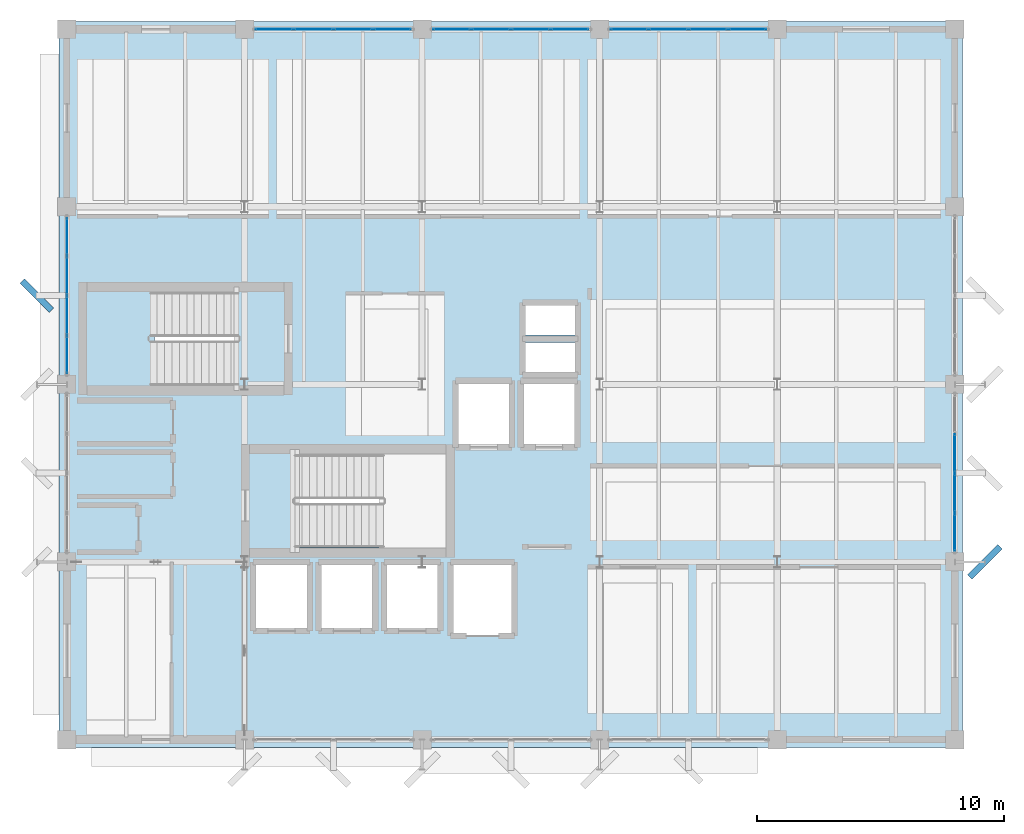
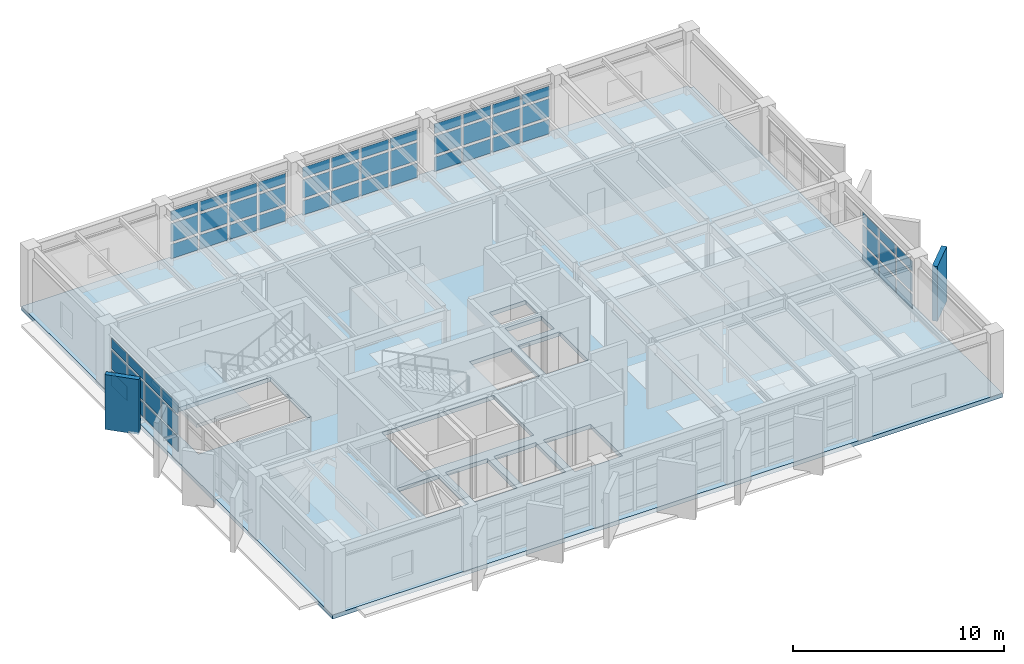
# One storey, part 15 of 24: 59 plates, 2 slabs, 6 elements without a shape of their own.
"""IFC4 building model written with IfcOpenShell, lengths in metres."""

import ifcopenshell
import ifcopenshell.guid

model = None  # the IFC model being written
_history = None  # IfcOwnerHistory: only IFC2X3 demands one
_inside = {}  # id of a spatial element -> (the spatial element, [elements in it])
_under = {}  # id of a project, library or spatial element -> (it, [spatial elements below it])
_declared = {}  # id of a project -> (the project, [libraries it declares])
_typed = {}  # id of a type object -> (the type object, [elements of that type])
_made_of = {}  # id of a material, layer set ... -> (it, [elements and type objects made of it])


def new_model(schema):
    """Start an empty IFC model of exactly this schema.

    Asked for "IFC4X3", IfcOpenShell would pick the latest addendum, in which some entities
    have other attributes; the version numbers below select the first issue.
    IFC2X3 requires an IfcOwnerHistory on every rooted entity: one is made here for all.
    """
    global model, _history
    if schema == "IFC4X3":
        model = ifcopenshell.file(schema_version=(4, 3, 0, 0))
    else:
        model = ifcopenshell.file(schema=schema)
    _inside.clear()
    _under.clear()
    _declared.clear()
    _typed.clear()
    _made_of.clear()
    _history = None
    if model.schema == "IFC2X3":
        org = make("IfcOrganization", Name="unknown")
        user = make(
            "IfcPersonAndOrganization",
            ThePerson=make("IfcPerson", FamilyName="unknown"),
            TheOrganization=org,
        )
        app = make(
            "IfcApplication",
            ApplicationDeveloper=org,
            Version="unknown",
            ApplicationFullName="unknown",
            ApplicationIdentifier="unknown",
        )
        _history = make(
            "IfcOwnerHistory",
            OwningUser=user,
            OwningApplication=app,
            ChangeAction="ADDED",
            CreationDate=0,
        )
    return model


def make(cls, **values):
    """One entity of the class cls with the attributes given. An attribute that is None is left unset."""
    return model.create_entity(
        cls, **{name: value for name, value in values.items() if value is not None}
    )


def rooted(cls, **values):
    """An entity with a GlobalId (a new one), such as an element, a storey or a relation."""
    return make(cls, GlobalId=ifcopenshell.guid.new(), OwnerHistory=_history, **values)


def si_unit(unit_type, name, prefix=None):
    """IfcSIUnit, for example si_unit("LENGTHUNIT", "METRE", prefix="MILLI")."""
    return make("IfcSIUnit", UnitType=unit_type, Prefix=prefix, Name=name)


def assignment(units):
    """IfcUnitAssignment: the units of a project."""
    return None if units is None else make("IfcUnitAssignment", Units=units)


def point(xyz):
    """IfcCartesianPoint."""
    return None if xyz is None else make("IfcCartesianPoint", Coordinates=xyz)


def direction(xyz):
    """IfcDirection."""
    return None if xyz is None else make("IfcDirection", DirectionRatios=xyz)


def frame(location, z_axis=None, x_axis=None):
    """IfcAxis2Placement3D, a coordinate frame: its origin and axes. An axis left out is left unset."""
    return make(
        "IfcAxis2Placement3D",
        Location=point(location),
        Axis=direction(z_axis),
        RefDirection=direction(x_axis),
    )


def frame_2d(location, x_axis=None):
    """IfcAxis2Placement2D, a coordinate frame in the plane: its origin and x axis."""
    return make(
        "IfcAxis2Placement2D", Location=point(location), RefDirection=direction(x_axis)
    )


def origin():
    """The frame at (0, 0, 0) with its axes left unset."""
    return frame((0.0, 0.0, 0.0))


def origin_2d():
    """The frame at (0, 0) in the plane with its x axis left unset."""
    return frame_2d((0.0, 0.0))


def place(relative_to, where):
    """IfcLocalPlacement: puts the frame where relative to a parent placement (None: the world)."""
    return make(
        "IfcLocalPlacement", PlacementRelTo=relative_to, RelativePlacement=where
    )


def context(
    kind, dimensions, precision=None, world=None, true_north=None, identifier=None
):
    """IfcGeometricRepresentationContext, for example the 3D "Model" context."""
    return make(
        "IfcGeometricRepresentationContext",
        ContextIdentifier=identifier,
        ContextType=kind,
        CoordinateSpaceDimension=dimensions,
        Precision=precision,
        WorldCoordinateSystem=world,
        TrueNorth=true_north,
    )


def subcontext(parent, identifier, kind, view, scale=None):
    """IfcGeometricRepresentationSubContext, for example "Body" below "Model"."""
    return make(
        "IfcGeometricRepresentationSubContext",
        ContextIdentifier=identifier,
        ContextType=kind,
        ParentContext=parent,
        TargetScale=scale,
        TargetView=view,
    )


def project(units=None, contexts=None):
    """IfcProject with its units and contexts."""
    return rooted(
        "IfcProject",
        Name="project",
        RepresentationContexts=contexts,
        UnitsInContext=assignment(units),
    )


def spatial(cls, under=None, at=None, **own):
    """A site, building, storey or space (cls), placed at a placement, below another one or the project."""
    s = rooted(cls, ObjectPlacement=at, **own)
    if under is not None:
        _under.setdefault(under.id(), (under, []))[1].append(s)
    return s


def polyline(points):
    """IfcPolyline through the points."""
    return make("IfcPolyline", Points=[point(p) for p in points])


def profile(cls, at=None, kind="AREA", **sizes):
    """A parametric profile (cls). Its sizes go by their IFC names, for example OverallWidth=200.0."""
    return make(cls, ProfileType=kind, Position=at, **sizes)


def rectangle(**sizes):
    """IfcRectangleProfileDef."""
    return profile("IfcRectangleProfileDef", **sizes)


def outline(outer, holes=None, kind="AREA"):
    """IfcArbitraryClosedProfileDef: a profile drawn as a closed curve; with holes, ...WithVoids."""
    if holes is None:
        return make("IfcArbitraryClosedProfileDef", ProfileType=kind, OuterCurve=outer)
    return make(
        "IfcArbitraryProfileDefWithVoids",
        ProfileType=kind,
        OuterCurve=outer,
        InnerCurves=holes,
    )


def extrude(swept, where, along, depth):
    """IfcExtrudedAreaSolid: the profile swept, set in the frame where, extruded along a direction by depth."""
    return make(
        "IfcExtrudedAreaSolid",
        SweptArea=swept,
        Position=where,
        ExtrudedDirection=direction(along),
        Depth=depth,
    )


def shape(context_of_items, identifier, shape_type, items):
    """IfcShapeRepresentation: the items that make up one representation, for example the "Body"."""
    return make(
        "IfcShapeRepresentation",
        ContextOfItems=context_of_items,
        RepresentationIdentifier=identifier,
        RepresentationType=shape_type,
        Items=items,
    )


def material(Name=None, Category=None):
    """IfcMaterial."""
    return make("IfcMaterial", Name=Name, Category=Category)


def layer(
    of_material, thickness, ventilated=None, Name=None, Category=None, Priority=None
):
    """IfcMaterialLayer: one layer of a wall or slab, of a material (None: an air gap)."""
    return make(
        "IfcMaterialLayer",
        Material=of_material,
        LayerThickness=thickness,
        IsVentilated=ventilated,
        Name=Name,
        Category=Category,
        Priority=Priority,
    )


def layer_set(layers, Name=None):
    """IfcMaterialLayerSet."""
    return make("IfcMaterialLayerSet", MaterialLayers=layers, LayerSetName=Name)


def made_of(thing, what):
    """Note that an element or type object is made of a material, layer set ...; save() writes the relation."""
    if what is not None:
        _made_of.setdefault(what.id(), (what, []))[1].append(thing)
    return thing


def type_object(cls, material=None, **own):
    """A type object (cls), such as IfcWallType, which elements share."""
    return made_of(rooted(cls, **own), material)


def element(
    cls,
    number,
    at=None,
    inside=None,
    cuts=None,
    type_object=None,
    material=None,
    context=None,
    identifier="Body",
    shape_type=None,
    held_by="IfcProductDefinitionShape",
    body=None,
    shapes=None,
    **own,
):
    """One element of the class cls, such as IfcWall. Its Tag is "e" and its number.

    at: its placement. inside: the storey or other place that contains it. cuts: it is an
    opening in that element (IfcRelVoidsElement). A single representation is given by context,
    identifier, shape_type and body (its items); several are given by shapes. held_by: the class
    of the entity that holds the representations. save() writes the other relations.
    """
    e = rooted(cls, Tag="e%d" % number, ObjectPlacement=at, **own)
    if body is not None:
        shapes = [shape(context, identifier, shape_type, body)]
    if shapes is not None:
        e.Representation = make(held_by, Representations=shapes)
    if inside is not None:
        _inside.setdefault(inside.id(), (inside, []))[1].append(e)
    if cuts is not None:
        rooted(
            "IfcRelVoidsElement", RelatingBuildingElement=cuts, RelatedOpeningElement=e
        )
    if type_object is not None:
        _typed.setdefault(type_object.id(), (type_object, []))[1].append(e)
    return made_of(e, material)


def aggregate(whole, parts):
    """IfcRelAggregates: a whole, such as a stair, and the parts it consists of."""
    return rooted("IfcRelAggregates", RelatingObject=whole, RelatedObjects=parts)


def save(model, path):
    """Write the relations noted so far, then the file.

    IfcRelAggregates (storeys below a building ...), IfcRelContainedInSpatialStructure (elements
    in a storey), IfcRelDefinesByType, IfcRelAssociatesMaterial and IfcRelDeclares: one each for
    every whole, place, type object, material and project.
    """
    for whole, parts in _under.values():
        aggregate(whole, parts)
    for where, things in _inside.values():
        rooted(
            "IfcRelContainedInSpatialStructure",
            RelatedElements=things,
            RelatingStructure=where,
        )
    for kind, things in _typed.values():
        rooted("IfcRelDefinesByType", RelatedObjects=things, RelatingType=kind)
    for what, things in _made_of.values():
        rooted("IfcRelAssociatesMaterial", RelatedObjects=things, RelatingMaterial=what)
    for by, libraries in _declared.values():
        rooted("IfcRelDeclares", RelatingContext=by, RelatedDefinitions=libraries)
    model.write(path)


model = new_model("IFC4")

# Units and contexts
model_context = context("Model", 3, precision=1e-05, world=origin(), true_north=direction((0.0, 1.0)))
body_context = subcontext(model_context, "Body", "Model", "MODEL_VIEW")
ifc_project = project(units=[si_unit("LENGTHUNIT", "METRE"), si_unit("AREAUNIT", "SQUARE_METRE"), si_unit("VOLUMEUNIT", "CUBIC_METRE"), si_unit("PLANEANGLEUNIT", "RADIAN"), si_unit("MASSUNIT", "GRAM", prefix="KILO")], contexts=[model_context])

# Site, building, storey
site_placement = place(None, origin())
site = spatial("IfcSite", under=ifc_project, at=site_placement, CompositionType="ELEMENT")
building_placement = place(site_placement, origin())
building = spatial("IfcBuilding", under=site, at=building_placement, Name="Kandorven Conservatory and Botanical Research Centre", CompositionType="ELEMENT")
storey_placement = place(building_placement, frame((0.0, 0.0, 21.0)))
storey = spatial("IfcBuildingStorey", under=building, at=storey_placement, Name="L05", CompositionType="ELEMENT", Elevation=21.0)

# Curtain wall, plates
ifc_material_1 = material(Name="Bronze anodised thermally broken aluminium", Category="aluminium")
ifc_layer_1 = layer(ifc_material_1, 0.179931640625)
ifc_layer_set_1 = layer_set([ifc_layer_1], Name="Bronze anodised thermally broken aluminium")
curtain_wall_type = type_object("IfcCurtainWallType", Name="CW_Unitised", PredefinedType="USERDEFINED", material=ifc_layer_set_1)
curtain_wall_1_placement = place(storey_placement, origin())
curtain_wall_1 = element("IfcCurtainWall", 1, at=curtain_wall_1_placement, inside=storey, type_object=curtain_wall_type, Name="Tower laboratory curtain wall CW-TWR-N-L05-2", ObjectType="UNITISED GLAZING", PredefinedType="USERDEFINED")
ifc_material_2 = material(Name="Double-glazed solar-control low-E glass", Category="glass")
ifc_layer_2 = layer(ifc_material_2, 0.028076171875)
ifc_layer_set_2 = layer_set([ifc_layer_2], Name="Double-glazed solar-control low-E glass")
plate_type_1 = type_object("IfcPlateType", Name="CW_Panel", PredefinedType="CURTAIN_PANEL", material=ifc_layer_set_2)
plate_1_placement = place(storey_placement, frame((14.4013671875, 34.800048828125, 0.14990234375), z_axis=(0.0, 0.0, 1.0), x_axis=(1.0, 0.0, 0.0)))
plate_1 = element("IfcPlate", 2, at=plate_1_placement, type_object=plate_type_1, Name="CW-01 panel 1.1", PredefinedType="CURTAIN_PANEL", context=body_context, shape_type="SweptSolid", body=[
    extrude(rectangle(XDim=1.492431640625, YDim=0.028076171875, at=origin_2d()), origin(), (0.0, 0.0, 1.0), 0.824951171875),
])
plate_2_placement = place(storey_placement, frame((14.4013671875, 34.800048828125, 1.125), z_axis=(0.0, 0.0, 1.0), x_axis=(1.0, 0.0, 0.0)))
plate_2 = element("IfcPlate", 3, at=plate_2_placement, type_object=plate_type_1, Name="CW-01 panel 1.2", PredefinedType="CURTAIN_PANEL", context=body_context, shape_type="SweptSolid", body=[
    extrude(rectangle(XDim=1.492431640625, YDim=0.028076171875, at=origin_2d()), origin(), (0.0, 0.0, 1.0), 1.050048828125),
])
plate_3_placement = place(storey_placement, frame((14.4013671875, 34.800048828125, 2.3251953125), z_axis=(0.0, 0.0, 1.0), x_axis=(1.0, 0.0, 0.0)))
plate_3 = element("IfcPlate", 4, at=plate_3_placement, type_object=plate_type_1, Name="CW-01 panel 1.3", PredefinedType="CURTAIN_PANEL", context=body_context, shape_type="SweptSolid", body=[
    extrude(rectangle(XDim=1.492431640625, YDim=0.028076171875, at=origin_2d()), origin(), (0.0, 0.0, 1.0), 0.574951171875),
])
plate_4_placement = place(storey_placement, frame((15.99365234375, 34.800048828125, 0.14990234375), z_axis=(0.0, 0.0, 1.0), x_axis=(1.0, 0.0, 0.0)))
plate_4 = element("IfcPlate", 5, at=plate_4_placement, type_object=plate_type_1, Name="CW-01 panel 2.1", PredefinedType="CURTAIN_PANEL", context=body_context, shape_type="SweptSolid", body=[
    extrude(rectangle(XDim=1.532470703125, YDim=0.028076171875, at=origin_2d()), origin(), (0.0, 0.0, 1.0), 0.824951171875),
])
plate_5_placement = place(storey_placement, frame((15.99365234375, 34.800048828125, 1.125), z_axis=(0.0, 0.0, 1.0), x_axis=(1.0, 0.0, 0.0)))
plate_5 = element("IfcPlate", 6, at=plate_5_placement, type_object=plate_type_1, Name="CW-01 panel 2.2", PredefinedType="CURTAIN_PANEL", context=body_context, shape_type="SweptSolid", body=[
    extrude(rectangle(XDim=1.532470703125, YDim=0.028076171875, at=origin_2d()), origin(), (0.0, 0.0, 1.0), 1.050048828125),
])
plate_6_placement = place(storey_placement, frame((15.99365234375, 34.800048828125, 2.3251953125), z_axis=(0.0, 0.0, 1.0), x_axis=(1.0, 0.0, 0.0)))
plate_6 = element("IfcPlate", 7, at=plate_6_placement, type_object=plate_type_1, Name="CW-01 panel 2.3", PredefinedType="CURTAIN_PANEL", context=body_context, shape_type="SweptSolid", body=[
    extrude(rectangle(XDim=1.532470703125, YDim=0.028076171875, at=origin_2d()), origin(), (0.0, 0.0, 1.0), 0.574951171875),
])
plate_7_placement = place(storey_placement, frame((17.606201171875, 34.800048828125, 0.14990234375), z_axis=(0.0, 0.0, 1.0), x_axis=(1.0, 0.0, 0.0)))
plate_7 = element("IfcPlate", 8, at=plate_7_placement, type_object=plate_type_1, Name="CW-01 panel 3.1", PredefinedType="CURTAIN_PANEL", context=body_context, shape_type="SweptSolid", body=[
    extrude(rectangle(XDim=1.532470703125, YDim=0.028076171875, at=origin_2d()), origin(), (0.0, 0.0, 1.0), 0.824951171875),
])
plate_8_placement = place(storey_placement, frame((17.606201171875, 34.800048828125, 1.125), z_axis=(0.0, 0.0, 1.0), x_axis=(1.0, 0.0, 0.0)))
plate_8 = element("IfcPlate", 9, at=plate_8_placement, type_object=plate_type_1, Name="CW-01 panel 3.2", PredefinedType="CURTAIN_PANEL", context=body_context, shape_type="SweptSolid", body=[
    extrude(rectangle(XDim=1.532470703125, YDim=0.028076171875, at=origin_2d()), origin(), (0.0, 0.0, 1.0), 1.050048828125),
])
plate_9_placement = place(storey_placement, frame((17.606201171875, 34.800048828125, 2.3251953125), z_axis=(0.0, 0.0, 1.0), x_axis=(1.0, 0.0, 0.0)))
plate_9 = element("IfcPlate", 10, at=plate_9_placement, type_object=plate_type_1, Name="CW-01 panel 3.3", PredefinedType="CURTAIN_PANEL", context=body_context, shape_type="SweptSolid", body=[
    extrude(rectangle(XDim=1.532470703125, YDim=0.028076171875, at=origin_2d()), origin(), (0.0, 0.0, 1.0), 0.574951171875),
])
plate_10_placement = place(storey_placement, frame((19.19873046875, 34.800048828125, 0.14990234375), z_axis=(0.0, 0.0, 1.0), x_axis=(1.0, 0.0, 0.0)))
plate_10 = element("IfcPlate", 11, at=plate_10_placement, type_object=plate_type_1, Name="CW-01 panel 4.1", PredefinedType="CURTAIN_PANEL", context=body_context, shape_type="SweptSolid", body=[
    extrude(rectangle(XDim=1.492431640625, YDim=0.028076171875, at=origin_2d()), origin(), (0.0, 0.0, 1.0), 0.824951171875),
])
plate_11_placement = place(storey_placement, frame((19.19873046875, 34.800048828125, 1.125), z_axis=(0.0, 0.0, 1.0), x_axis=(1.0, 0.0, 0.0)))
plate_11 = element("IfcPlate", 12, at=plate_11_placement, type_object=plate_type_1, Name="CW-01 panel 4.2", PredefinedType="CURTAIN_PANEL", context=body_context, shape_type="SweptSolid", body=[
    extrude(rectangle(XDim=1.492431640625, YDim=0.028076171875, at=origin_2d()), origin(), (0.0, 0.0, 1.0), 1.050048828125),
])
plate_12_placement = place(storey_placement, frame((19.19873046875, 34.800048828125, 2.3251953125), z_axis=(0.0, 0.0, 1.0), x_axis=(1.0, 0.0, 0.0)))
plate_12 = element("IfcPlate", 13, at=plate_12_placement, type_object=plate_type_1, Name="CW-01 panel 4.3", PredefinedType="CURTAIN_PANEL", context=body_context, shape_type="SweptSolid", body=[
    extrude(rectangle(XDim=1.492431640625, YDim=0.028076171875, at=origin_2d()), origin(), (0.0, 0.0, 1.0), 0.574951171875),
])
aggregate(curtain_wall_1, [plate_1, plate_2, plate_3, plate_4, plate_5, plate_6, plate_7, plate_8, plate_9, plate_10, plate_11, plate_12])

curtain_wall_2_placement = place(storey_placement, origin())
curtain_wall_2 = element("IfcCurtainWall", 14, at=curtain_wall_2_placement, inside=storey, type_object=curtain_wall_type, Name="Tower laboratory curtain wall CW-TWR-N-L05-3", ObjectType="UNITISED GLAZING", PredefinedType="USERDEFINED")
plate_13_placement = place(storey_placement, frame((21.601318359375, 34.800048828125, 0.14990234375), z_axis=(0.0, 0.0, 1.0), x_axis=(1.0, 0.0, 0.0)))
plate_13 = element("IfcPlate", 15, at=plate_13_placement, type_object=plate_type_1, Name="CW-01 panel 1.1", PredefinedType="CURTAIN_PANEL", context=body_context, shape_type="SweptSolid", body=[
    extrude(rectangle(XDim=1.492431640625, YDim=0.028076171875, at=origin_2d()), origin(), (0.0, 0.0, 1.0), 0.824951171875),
])
plate_14_placement = place(storey_placement, frame((21.601318359375, 34.800048828125, 1.125), z_axis=(0.0, 0.0, 1.0), x_axis=(1.0, 0.0, 0.0)))
plate_14 = element("IfcPlate", 16, at=plate_14_placement, type_object=plate_type_1, Name="CW-01 panel 1.2", PredefinedType="CURTAIN_PANEL", context=body_context, shape_type="SweptSolid", body=[
    extrude(rectangle(XDim=1.492431640625, YDim=0.028076171875, at=origin_2d()), origin(), (0.0, 0.0, 1.0), 1.050048828125),
])
plate_15_placement = place(storey_placement, frame((21.601318359375, 34.800048828125, 2.3251953125), z_axis=(0.0, 0.0, 1.0), x_axis=(1.0, 0.0, 0.0)))
plate_15 = element("IfcPlate", 17, at=plate_15_placement, type_object=plate_type_1, Name="CW-01 panel 1.3", PredefinedType="CURTAIN_PANEL", context=body_context, shape_type="SweptSolid", body=[
    extrude(rectangle(XDim=1.492431640625, YDim=0.028076171875, at=origin_2d()), origin(), (0.0, 0.0, 1.0), 0.574951171875),
])
plate_16_placement = place(storey_placement, frame((23.19384765625, 34.800048828125, 0.14990234375), z_axis=(0.0, 0.0, 1.0), x_axis=(1.0, 0.0, 0.0)))
plate_16 = element("IfcPlate", 18, at=plate_16_placement, type_object=plate_type_1, Name="CW-01 panel 2.1", PredefinedType="CURTAIN_PANEL", context=body_context, shape_type="SweptSolid", body=[
    extrude(rectangle(XDim=1.532470703125, YDim=0.028076171875, at=origin_2d()), origin(), (0.0, 0.0, 1.0), 0.824951171875),
])
plate_17_placement = place(storey_placement, frame((23.19384765625, 34.800048828125, 1.125), z_axis=(0.0, 0.0, 1.0), x_axis=(1.0, 0.0, 0.0)))
plate_17 = element("IfcPlate", 19, at=plate_17_placement, type_object=plate_type_1, Name="CW-01 panel 2.2", PredefinedType="CURTAIN_PANEL", context=body_context, shape_type="SweptSolid", body=[
    extrude(rectangle(XDim=1.532470703125, YDim=0.028076171875, at=origin_2d()), origin(), (0.0, 0.0, 1.0), 1.050048828125),
])
plate_18_placement = place(storey_placement, frame((23.19384765625, 34.800048828125, 2.3251953125), z_axis=(0.0, 0.0, 1.0), x_axis=(1.0, 0.0, 0.0)))
plate_18 = element("IfcPlate", 20, at=plate_18_placement, type_object=plate_type_1, Name="CW-01 panel 2.3", PredefinedType="CURTAIN_PANEL", context=body_context, shape_type="SweptSolid", body=[
    extrude(rectangle(XDim=1.532470703125, YDim=0.028076171875, at=origin_2d()), origin(), (0.0, 0.0, 1.0), 0.574951171875),
])
plate_19_placement = place(storey_placement, frame((24.80615234375, 34.800048828125, 0.14990234375), z_axis=(0.0, 0.0, 1.0), x_axis=(1.0, 0.0, 0.0)))
plate_19 = element("IfcPlate", 21, at=plate_19_placement, type_object=plate_type_1, Name="CW-01 panel 3.1", PredefinedType="CURTAIN_PANEL", context=body_context, shape_type="SweptSolid", body=[
    extrude(rectangle(XDim=1.532470703125, YDim=0.028076171875, at=origin_2d()), origin(), (0.0, 0.0, 1.0), 0.824951171875),
])
plate_20_placement = place(storey_placement, frame((24.80615234375, 34.800048828125, 1.125), z_axis=(0.0, 0.0, 1.0), x_axis=(1.0, 0.0, 0.0)))
plate_20 = element("IfcPlate", 22, at=plate_20_placement, type_object=plate_type_1, Name="CW-01 panel 3.2", PredefinedType="CURTAIN_PANEL", context=body_context, shape_type="SweptSolid", body=[
    extrude(rectangle(XDim=1.532470703125, YDim=0.028076171875, at=origin_2d()), origin(), (0.0, 0.0, 1.0), 1.050048828125),
])
plate_21_placement = place(storey_placement, frame((24.80615234375, 34.800048828125, 2.3251953125), z_axis=(0.0, 0.0, 1.0), x_axis=(1.0, 0.0, 0.0)))
plate_21 = element("IfcPlate", 23, at=plate_21_placement, type_object=plate_type_1, Name="CW-01 panel 3.3", PredefinedType="CURTAIN_PANEL", context=body_context, shape_type="SweptSolid", body=[
    extrude(rectangle(XDim=1.532470703125, YDim=0.028076171875, at=origin_2d()), origin(), (0.0, 0.0, 1.0), 0.574951171875),
])
plate_22_placement = place(storey_placement, frame((26.398681640625, 34.800048828125, 0.14990234375), z_axis=(0.0, 0.0, 1.0), x_axis=(1.0, 0.0, 0.0)))
plate_22 = element("IfcPlate", 24, at=plate_22_placement, type_object=plate_type_1, Name="CW-01 panel 4.1", PredefinedType="CURTAIN_PANEL", context=body_context, shape_type="SweptSolid", body=[
    extrude(rectangle(XDim=1.492431640625, YDim=0.028076171875, at=origin_2d()), origin(), (0.0, 0.0, 1.0), 0.824951171875),
])
plate_23_placement = place(storey_placement, frame((26.398681640625, 34.800048828125, 1.125), z_axis=(0.0, 0.0, 1.0), x_axis=(1.0, 0.0, 0.0)))
plate_23 = element("IfcPlate", 25, at=plate_23_placement, type_object=plate_type_1, Name="CW-01 panel 4.2", PredefinedType="CURTAIN_PANEL", context=body_context, shape_type="SweptSolid", body=[
    extrude(rectangle(XDim=1.492431640625, YDim=0.028076171875, at=origin_2d()), origin(), (0.0, 0.0, 1.0), 1.050048828125),
])
plate_24_placement = place(storey_placement, frame((26.398681640625, 34.800048828125, 2.3251953125), z_axis=(0.0, 0.0, 1.0), x_axis=(1.0, 0.0, 0.0)))
plate_24 = element("IfcPlate", 26, at=plate_24_placement, type_object=plate_type_1, Name="CW-01 panel 4.3", PredefinedType="CURTAIN_PANEL", context=body_context, shape_type="SweptSolid", body=[
    extrude(rectangle(XDim=1.492431640625, YDim=0.028076171875, at=origin_2d()), origin(), (0.0, 0.0, 1.0), 0.574951171875),
])
aggregate(curtain_wall_2, [plate_13, plate_14, plate_15, plate_16, plate_17, plate_18, plate_19, plate_20, plate_21, plate_22, plate_23, plate_24])

curtain_wall_3_placement = place(storey_placement, origin())
curtain_wall_3 = element("IfcCurtainWall", 27, at=curtain_wall_3_placement, inside=storey, type_object=curtain_wall_type, Name="Tower laboratory curtain wall CW-TWR-N-L05-4", ObjectType="UNITISED GLAZING", PredefinedType="USERDEFINED")
plate_25_placement = place(storey_placement, frame((28.80126953125, 34.800048828125, 0.14990234375), z_axis=(0.0, 0.0, 1.0), x_axis=(1.0, 0.0, 0.0)))
plate_25 = element("IfcPlate", 28, at=plate_25_placement, type_object=plate_type_1, Name="CW-01 panel 1.1", PredefinedType="CURTAIN_PANEL", context=body_context, shape_type="SweptSolid", body=[
    extrude(rectangle(XDim=1.492431640625, YDim=0.028076171875, at=origin_2d()), origin(), (0.0, 0.0, 1.0), 0.824951171875),
])
plate_26_placement = place(storey_placement, frame((28.80126953125, 34.800048828125, 1.125), z_axis=(0.0, 0.0, 1.0), x_axis=(1.0, 0.0, 0.0)))
plate_26 = element("IfcPlate", 29, at=plate_26_placement, type_object=plate_type_1, Name="CW-01 panel 1.2", PredefinedType="CURTAIN_PANEL", context=body_context, shape_type="SweptSolid", body=[
    extrude(rectangle(XDim=1.492431640625, YDim=0.028076171875, at=origin_2d()), origin(), (0.0, 0.0, 1.0), 1.050048828125),
])
plate_27_placement = place(storey_placement, frame((28.80126953125, 34.800048828125, 2.3251953125), z_axis=(0.0, 0.0, 1.0), x_axis=(1.0, 0.0, 0.0)))
plate_27 = element("IfcPlate", 30, at=plate_27_placement, type_object=plate_type_1, Name="CW-01 panel 1.3", PredefinedType="CURTAIN_PANEL", context=body_context, shape_type="SweptSolid", body=[
    extrude(rectangle(XDim=1.492431640625, YDim=0.028076171875, at=origin_2d()), origin(), (0.0, 0.0, 1.0), 0.574951171875),
])
plate_28_placement = place(storey_placement, frame((30.393798828125, 34.800048828125, 0.14990234375), z_axis=(0.0, 0.0, 1.0), x_axis=(1.0, 0.0, 0.0)))
plate_28 = element("IfcPlate", 31, at=plate_28_placement, type_object=plate_type_1, Name="CW-01 panel 2.1", PredefinedType="CURTAIN_PANEL", context=body_context, shape_type="SweptSolid", body=[
    extrude(rectangle(XDim=1.532470703125, YDim=0.028076171875, at=origin_2d()), origin(), (0.0, 0.0, 1.0), 0.824951171875),
])
plate_29_placement = place(storey_placement, frame((30.393798828125, 34.800048828125, 1.125), z_axis=(0.0, 0.0, 1.0), x_axis=(1.0, 0.0, 0.0)))
plate_29 = element("IfcPlate", 32, at=plate_29_placement, type_object=plate_type_1, Name="CW-01 panel 2.2", PredefinedType="CURTAIN_PANEL", context=body_context, shape_type="SweptSolid", body=[
    extrude(rectangle(XDim=1.532470703125, YDim=0.028076171875, at=origin_2d()), origin(), (0.0, 0.0, 1.0), 1.050048828125),
])
plate_30_placement = place(storey_placement, frame((30.393798828125, 34.800048828125, 2.3251953125), z_axis=(0.0, 0.0, 1.0), x_axis=(1.0, 0.0, 0.0)))
plate_30 = element("IfcPlate", 33, at=plate_30_placement, type_object=plate_type_1, Name="CW-01 panel 2.3", PredefinedType="CURTAIN_PANEL", context=body_context, shape_type="SweptSolid", body=[
    extrude(rectangle(XDim=1.532470703125, YDim=0.028076171875, at=origin_2d()), origin(), (0.0, 0.0, 1.0), 0.574951171875),
])
plate_31_placement = place(storey_placement, frame((32.00634765625, 34.800048828125, 0.14990234375), z_axis=(0.0, 0.0, 1.0), x_axis=(1.0, 0.0, 0.0)))
plate_31 = element("IfcPlate", 34, at=plate_31_placement, type_object=plate_type_1, Name="CW-01 panel 3.1", PredefinedType="CURTAIN_PANEL", context=body_context, shape_type="SweptSolid", body=[
    extrude(rectangle(XDim=1.532470703125, YDim=0.028076171875, at=origin_2d()), origin(), (0.0, 0.0, 1.0), 0.824951171875),
])
plate_32_placement = place(storey_placement, frame((32.00634765625, 34.800048828125, 1.125), z_axis=(0.0, 0.0, 1.0), x_axis=(1.0, 0.0, 0.0)))
plate_32 = element("IfcPlate", 35, at=plate_32_placement, type_object=plate_type_1, Name="CW-01 panel 3.2", PredefinedType="CURTAIN_PANEL", context=body_context, shape_type="SweptSolid", body=[
    extrude(rectangle(XDim=1.532470703125, YDim=0.028076171875, at=origin_2d()), origin(), (0.0, 0.0, 1.0), 1.050048828125),
])
plate_33_placement = place(storey_placement, frame((32.00634765625, 34.800048828125, 2.3251953125), z_axis=(0.0, 0.0, 1.0), x_axis=(1.0, 0.0, 0.0)))
plate_33 = element("IfcPlate", 36, at=plate_33_placement, type_object=plate_type_1, Name="CW-01 panel 3.3", PredefinedType="CURTAIN_PANEL", context=body_context, shape_type="SweptSolid", body=[
    extrude(rectangle(XDim=1.532470703125, YDim=0.028076171875, at=origin_2d()), origin(), (0.0, 0.0, 1.0), 0.574951171875),
])
plate_34_placement = place(storey_placement, frame((33.5986328125, 34.800048828125, 0.14990234375), z_axis=(0.0, 0.0, 1.0), x_axis=(1.0, 0.0, 0.0)))
plate_34 = element("IfcPlate", 37, at=plate_34_placement, type_object=plate_type_1, Name="CW-01 panel 4.1", PredefinedType="CURTAIN_PANEL", context=body_context, shape_type="SweptSolid", body=[
    extrude(rectangle(XDim=1.492431640625, YDim=0.028076171875, at=origin_2d()), origin(), (0.0, 0.0, 1.0), 0.824951171875),
])
plate_35_placement = place(storey_placement, frame((33.5986328125, 34.800048828125, 1.125), z_axis=(0.0, 0.0, 1.0), x_axis=(1.0, 0.0, 0.0)))
plate_35 = element("IfcPlate", 38, at=plate_35_placement, type_object=plate_type_1, Name="CW-01 panel 4.2", PredefinedType="CURTAIN_PANEL", context=body_context, shape_type="SweptSolid", body=[
    extrude(rectangle(XDim=1.492431640625, YDim=0.028076171875, at=origin_2d()), origin(), (0.0, 0.0, 1.0), 1.050048828125),
])
plate_36_placement = place(storey_placement, frame((33.5986328125, 34.800048828125, 2.3251953125), z_axis=(0.0, 0.0, 1.0), x_axis=(1.0, 0.0, 0.0)))
plate_36 = element("IfcPlate", 39, at=plate_36_placement, type_object=plate_type_1, Name="CW-01 panel 4.3", PredefinedType="CURTAIN_PANEL", context=body_context, shape_type="SweptSolid", body=[
    extrude(rectangle(XDim=1.492431640625, YDim=0.028076171875, at=origin_2d()), origin(), (0.0, 0.0, 1.0), 0.574951171875),
])
aggregate(curtain_wall_3, [plate_25, plate_26, plate_27, plate_28, plate_29, plate_30, plate_31, plate_32, plate_33, plate_34, plate_35, plate_36])

curtain_wall_4_placement = place(storey_placement, origin())
curtain_wall_4 = element("IfcCurtainWall", 40, at=curtain_wall_4_placement, inside=storey, type_object=curtain_wall_type, Name="Tower laboratory curtain wall CW-TWR-W-L05-3", ObjectType="UNITISED GLAZING", PredefinedType="USERDEFINED")
plate_37_placement = place(storey_placement, frame((6.0, 21.601318359375, 0.14990234375), z_axis=(0.0, 0.0, 1.0), x_axis=(0.0, 1.0, 0.0)))
plate_37 = element("IfcPlate", 41, at=plate_37_placement, type_object=plate_type_1, Name="CW-01 panel 1.1", PredefinedType="CURTAIN_PANEL", context=body_context, shape_type="SweptSolid", body=[
    extrude(rectangle(XDim=1.492431640625, YDim=0.028076171875, at=origin_2d()), origin(), (0.0, 0.0, 1.0), 0.824951171875),
])
plate_38_placement = place(storey_placement, frame((6.0, 21.601318359375, 1.125), z_axis=(0.0, 0.0, 1.0), x_axis=(0.0, 1.0, 0.0)))
plate_38 = element("IfcPlate", 42, at=plate_38_placement, type_object=plate_type_1, Name="CW-01 panel 1.2", PredefinedType="CURTAIN_PANEL", context=body_context, shape_type="SweptSolid", body=[
    extrude(rectangle(XDim=1.492431640625, YDim=0.028076171875, at=origin_2d()), origin(), (0.0, 0.0, 1.0), 1.050048828125),
])
plate_39_placement = place(storey_placement, frame((6.0, 21.601318359375, 2.3251953125), z_axis=(0.0, 0.0, 1.0), x_axis=(0.0, 1.0, 0.0)))
plate_39 = element("IfcPlate", 43, at=plate_39_placement, type_object=plate_type_1, Name="CW-01 panel 1.3", PredefinedType="CURTAIN_PANEL", context=body_context, shape_type="SweptSolid", body=[
    extrude(rectangle(XDim=1.492431640625, YDim=0.028076171875, at=origin_2d()), origin(), (0.0, 0.0, 1.0), 0.574951171875),
])
plate_40_placement = place(storey_placement, frame((6.0, 23.19384765625, 0.14990234375), z_axis=(0.0, 0.0, 1.0), x_axis=(0.0, 1.0, 0.0)))
plate_40 = element("IfcPlate", 44, at=plate_40_placement, type_object=plate_type_1, Name="CW-01 panel 2.1", PredefinedType="CURTAIN_PANEL", context=body_context, shape_type="SweptSolid", body=[
    extrude(rectangle(XDim=1.532470703125, YDim=0.028076171875, at=origin_2d()), origin(), (0.0, 0.0, 1.0), 0.824951171875),
])
plate_41_placement = place(storey_placement, frame((6.0, 23.19384765625, 1.125), z_axis=(0.0, 0.0, 1.0), x_axis=(0.0, 1.0, 0.0)))
plate_41 = element("IfcPlate", 45, at=plate_41_placement, type_object=plate_type_1, Name="CW-01 panel 2.2", PredefinedType="CURTAIN_PANEL", context=body_context, shape_type="SweptSolid", body=[
    extrude(rectangle(XDim=1.532470703125, YDim=0.028076171875, at=origin_2d()), origin(), (0.0, 0.0, 1.0), 1.050048828125),
])
plate_42_placement = place(storey_placement, frame((6.0, 23.19384765625, 2.3251953125), z_axis=(0.0, 0.0, 1.0), x_axis=(0.0, 1.0, 0.0)))
plate_42 = element("IfcPlate", 46, at=plate_42_placement, type_object=plate_type_1, Name="CW-01 panel 2.3", PredefinedType="CURTAIN_PANEL", context=body_context, shape_type="SweptSolid", body=[
    extrude(rectangle(XDim=1.532470703125, YDim=0.028076171875, at=origin_2d()), origin(), (0.0, 0.0, 1.0), 0.574951171875),
])
plate_43_placement = place(storey_placement, frame((6.0, 24.80615234375, 0.14990234375), z_axis=(0.0, 0.0, 1.0), x_axis=(0.0, 1.0, 0.0)))
plate_43 = element("IfcPlate", 47, at=plate_43_placement, type_object=plate_type_1, Name="CW-01 panel 3.1", PredefinedType="CURTAIN_PANEL", context=body_context, shape_type="SweptSolid", body=[
    extrude(rectangle(XDim=1.532470703125, YDim=0.028076171875, at=origin_2d()), origin(), (0.0, 0.0, 1.0), 0.824951171875),
])
plate_44_placement = place(storey_placement, frame((6.0, 24.80615234375, 1.125), z_axis=(0.0, 0.0, 1.0), x_axis=(0.0, 1.0, 0.0)))
plate_44 = element("IfcPlate", 48, at=plate_44_placement, type_object=plate_type_1, Name="CW-01 panel 3.2", PredefinedType="CURTAIN_PANEL", context=body_context, shape_type="SweptSolid", body=[
    extrude(rectangle(XDim=1.532470703125, YDim=0.028076171875, at=origin_2d()), origin(), (0.0, 0.0, 1.0), 1.050048828125),
])
plate_45_placement = place(storey_placement, frame((6.0, 24.80615234375, 2.3251953125), z_axis=(0.0, 0.0, 1.0), x_axis=(0.0, 1.0, 0.0)))
plate_45 = element("IfcPlate", 49, at=plate_45_placement, type_object=plate_type_1, Name="CW-01 panel 3.3", PredefinedType="CURTAIN_PANEL", context=body_context, shape_type="SweptSolid", body=[
    extrude(rectangle(XDim=1.532470703125, YDim=0.028076171875, at=origin_2d()), origin(), (0.0, 0.0, 1.0), 0.574951171875),
])
plate_46_placement = place(storey_placement, frame((6.0, 26.398681640625, 0.14990234375), z_axis=(0.0, 0.0, 1.0), x_axis=(0.0, 1.0, 0.0)))
plate_46 = element("IfcPlate", 50, at=plate_46_placement, type_object=plate_type_1, Name="CW-01 panel 4.1", PredefinedType="CURTAIN_PANEL", context=body_context, shape_type="SweptSolid", body=[
    extrude(rectangle(XDim=1.492431640625, YDim=0.028076171875, at=origin_2d()), origin(), (0.0, 0.0, 1.0), 0.824951171875),
])
plate_47_placement = place(storey_placement, frame((6.0, 26.398681640625, 1.125), z_axis=(0.0, 0.0, 1.0), x_axis=(0.0, 1.0, 0.0)))
plate_47 = element("IfcPlate", 51, at=plate_47_placement, type_object=plate_type_1, Name="CW-01 panel 4.2", PredefinedType="CURTAIN_PANEL", context=body_context, shape_type="SweptSolid", body=[
    extrude(rectangle(XDim=1.492431640625, YDim=0.028076171875, at=origin_2d()), origin(), (0.0, 0.0, 1.0), 1.050048828125),
])
plate_48_placement = place(storey_placement, frame((6.0, 26.398681640625, 2.3251953125), z_axis=(0.0, 0.0, 1.0), x_axis=(0.0, 1.0, 0.0)))
plate_48 = element("IfcPlate", 52, at=plate_48_placement, type_object=plate_type_1, Name="CW-01 panel 4.3", PredefinedType="CURTAIN_PANEL", context=body_context, shape_type="SweptSolid", body=[
    extrude(rectangle(XDim=1.492431640625, YDim=0.028076171875, at=origin_2d()), origin(), (0.0, 0.0, 1.0), 0.574951171875),
])
aggregate(curtain_wall_4, [plate_37, plate_38, plate_39, plate_40, plate_41, plate_42, plate_43, plate_44, plate_45, plate_46, plate_47, plate_48])

curtain_wall_5_placement = place(storey_placement, origin())
curtain_wall_5 = element("IfcCurtainWall", 53, at=curtain_wall_5_placement, inside=storey, type_object=curtain_wall_type, Name="Tower laboratory curtain wall CW-TWR-E-L05-2", ObjectType="UNITISED GLAZING", PredefinedType="USERDEFINED")
plate_49_placement = place(storey_placement, frame((42.0, 14.4013671875, 0.14990234375), z_axis=(0.0, 0.0, 1.0), x_axis=(0.0, 1.0, 0.0)))
plate_49 = element("IfcPlate", 54, at=plate_49_placement, type_object=plate_type_1, Name="CW-01 panel 1.1", PredefinedType="CURTAIN_PANEL", context=body_context, shape_type="SweptSolid", body=[
    extrude(rectangle(XDim=1.492431640625, YDim=0.028076171875, at=origin_2d()), origin(), (0.0, 0.0, 1.0), 0.824951171875),
])
plate_50_placement = place(storey_placement, frame((42.0, 14.4013671875, 1.125), z_axis=(0.0, 0.0, 1.0), x_axis=(0.0, 1.0, 0.0)))
plate_50 = element("IfcPlate", 55, at=plate_50_placement, type_object=plate_type_1, Name="CW-01 panel 1.2", PredefinedType="CURTAIN_PANEL", context=body_context, shape_type="SweptSolid", body=[
    extrude(rectangle(XDim=1.492431640625, YDim=0.028076171875, at=origin_2d()), origin(), (0.0, 0.0, 1.0), 1.050048828125),
])
plate_51_placement = place(storey_placement, frame((42.0, 14.4013671875, 2.3251953125), z_axis=(0.0, 0.0, 1.0), x_axis=(0.0, 1.0, 0.0)))
plate_51 = element("IfcPlate", 56, at=plate_51_placement, type_object=plate_type_1, Name="CW-01 panel 1.3", PredefinedType="CURTAIN_PANEL", context=body_context, shape_type="SweptSolid", body=[
    extrude(rectangle(XDim=1.492431640625, YDim=0.028076171875, at=origin_2d()), origin(), (0.0, 0.0, 1.0), 0.574951171875),
])
plate_52_placement = place(storey_placement, frame((42.0, 15.99365234375, 0.14990234375), z_axis=(0.0, 0.0, 1.0), x_axis=(0.0, 1.0, 0.0)))
plate_52 = element("IfcPlate", 57, at=plate_52_placement, type_object=plate_type_1, Name="CW-01 panel 2.1", PredefinedType="CURTAIN_PANEL", context=body_context, shape_type="SweptSolid", body=[
    extrude(rectangle(XDim=1.532470703125, YDim=0.028076171875, at=origin_2d()), origin(), (0.0, 0.0, 1.0), 0.824951171875),
])
plate_53_placement = place(storey_placement, frame((42.0, 15.99365234375, 1.125), z_axis=(0.0, 0.0, 1.0), x_axis=(0.0, 1.0, 0.0)))
plate_53 = element("IfcPlate", 58, at=plate_53_placement, type_object=plate_type_1, Name="CW-01 panel 2.2", PredefinedType="CURTAIN_PANEL", context=body_context, shape_type="SweptSolid", body=[
    extrude(rectangle(XDim=1.532470703125, YDim=0.028076171875, at=origin_2d()), origin(), (0.0, 0.0, 1.0), 1.050048828125),
])
plate_54_placement = place(storey_placement, frame((42.0, 15.99365234375, 2.3251953125), z_axis=(0.0, 0.0, 1.0), x_axis=(0.0, 1.0, 0.0)))
plate_54 = element("IfcPlate", 59, at=plate_54_placement, type_object=plate_type_1, Name="CW-01 panel 2.3", PredefinedType="CURTAIN_PANEL", context=body_context, shape_type="SweptSolid", body=[
    extrude(rectangle(XDim=1.532470703125, YDim=0.028076171875, at=origin_2d()), origin(), (0.0, 0.0, 1.0), 0.574951171875),
])
plate_55_placement = place(storey_placement, frame((42.0, 17.606201171875, 0.14990234375), z_axis=(0.0, 0.0, 1.0), x_axis=(0.0, 1.0, 0.0)))
plate_55 = element("IfcPlate", 60, at=plate_55_placement, type_object=plate_type_1, Name="CW-01 panel 3.1", PredefinedType="CURTAIN_PANEL", context=body_context, shape_type="SweptSolid", body=[
    extrude(rectangle(XDim=1.532470703125, YDim=0.028076171875, at=origin_2d()), origin(), (0.0, 0.0, 1.0), 0.824951171875),
])
plate_56_placement = place(storey_placement, frame((42.0, 17.606201171875, 1.125), z_axis=(0.0, 0.0, 1.0), x_axis=(0.0, 1.0, 0.0)))
plate_56 = element("IfcPlate", 61, at=plate_56_placement, type_object=plate_type_1, Name="CW-01 panel 3.2", PredefinedType="CURTAIN_PANEL", context=body_context, shape_type="SweptSolid", body=[
    extrude(rectangle(XDim=1.532470703125, YDim=0.028076171875, at=origin_2d()), origin(), (0.0, 0.0, 1.0), 1.050048828125),
])
plate_57_placement = place(storey_placement, frame((42.0, 17.606201171875, 2.3251953125), z_axis=(0.0, 0.0, 1.0), x_axis=(0.0, 1.0, 0.0)))
plate_57 = element("IfcPlate", 62, at=plate_57_placement, type_object=plate_type_1, Name="CW-01 panel 3.3", PredefinedType="CURTAIN_PANEL", context=body_context, shape_type="SweptSolid", body=[
    extrude(rectangle(XDim=1.532470703125, YDim=0.028076171875, at=origin_2d()), origin(), (0.0, 0.0, 1.0), 0.574951171875),
])
aggregate(curtain_wall_5, [plate_49, plate_50, plate_51, plate_52, plate_53, plate_54, plate_55, plate_56, plate_57])

# Plates
ifc_material_3 = material(Name="Precast concrete C40/50 (M50)", Category="concrete")
ifc_layer_3 = layer(ifc_material_3, 0.261962890625)
ifc_layer_set_3 = layer_set([ifc_layer_3], Name="Precast concrete C40/50 (M50)")
plate_type_2 = type_object("IfcPlateType", Name="Fin_BF-15", PredefinedType="USERDEFINED", material=ifc_layer_set_3)
plate_58_placement = place(storey_placement, frame((4.780029296875, 24.0, -0.119873046875), z_axis=(0.0, 0.0, 1.0), x_axis=(-0.707106781187, 0.707106781187, 0.0)))
element("IfcPlate", 63, at=plate_58_placement, inside=storey, type_object=plate_type_2, Name="Sculpted board-marked concrete brise-soleil fin BF-15", ObjectType="SOLAR FIN", PredefinedType="USERDEFINED", context=body_context, shape_type="SweptSolid", body=[
    extrude(rectangle(XDim=1.669921875, YDim=0.261962890625, at=origin_2d()), origin(), (0.0, 0.0, 1.0), 3.169921875),
])
ifc_material_4 = material(Name="Precast concrete C40/50 (M50)", Category="concrete")
ifc_layer_4 = layer(ifc_material_4, 0.26611328125)
ifc_layer_set_4 = layer_set([ifc_layer_4], Name="Precast concrete C40/50 (M50)")
plate_type_3 = type_object("IfcPlateType", Name="Fin_BF-16", PredefinedType="USERDEFINED", material=ifc_layer_set_4)
plate_59_placement = place(storey_placement, frame((43.219970703125, 13.199951171875, -0.119873046875), z_axis=(0.0, 0.0, 1.0), x_axis=(0.707106781187, 0.707106781187, 0.0)))
element("IfcPlate", 64, at=plate_59_placement, inside=storey, type_object=plate_type_3, Name="Sculpted board-marked concrete brise-soleil fin BF-16", ObjectType="SOLAR FIN", PredefinedType="USERDEFINED", context=body_context, shape_type="SweptSolid", body=[
    extrude(rectangle(XDim=1.72998046875, YDim=0.26611328125, at=origin_2d()), origin(), (0.0, 0.0, 1.0), 3.169921875),
])

# Slab
ifc_material_5 = material(Name="Concrete C32/40 (M40)", Category="concrete")
ifc_layer_5 = layer(ifc_material_5, 0.239990234375)
ifc_layer_set_5 = layer_set([ifc_layer_5], Name="Concrete C32/40 (M40)")
slab_type_1 = type_object("IfcSlabType", Name="Slab_SL-07", PredefinedType="FLOOR", material=ifc_layer_set_5)
slab_1_placement = place(storey_placement, frame((0.0, 0.0, -0.239990234375)))
element("IfcSlab", 65, at=slab_1_placement, inside=storey, type_object=slab_type_1, Name="Tower floor slab L05", PredefinedType="FLOOR", context=body_context, shape_type="SweptSolid", body=[
    extrude(outline(polyline([(5.679931640625, 5.679931640625), (42.320068359375, 5.679931640625), (42.320068359375, 34.919921875), (42.1201171875, 34.919921875), (42.1201171875, 35.1201171875), (5.679931640625, 35.1201171875), (5.679931640625, 5.679931640625)]), holes=[polyline([(15.239990234375, 13.780029296875), (21.3798828125, 13.780029296875), (21.3798828125, 17.570068359375), (15.239990234375, 17.570068359375), (15.239990234375, 13.780029296875)]), polyline([(12.9599609375, 24.14990234375), (6.820068359375, 24.14990234375), (6.820068359375, 20.360107421875), (12.9599609375, 20.360107421875), (12.9599609375, 24.14990234375)]), polyline([(21.75, 17.85009765625), (24.050048828125, 17.85009765625), (24.050048828125, 20.550048828125), (21.75, 20.550048828125), (21.75, 17.85009765625)]), polyline([(24.39990234375, 17.85009765625), (26.699951171875, 17.85009765625), (26.699951171875, 20.550048828125), (24.39990234375, 20.550048828125), (24.39990234375, 17.85009765625)]), polyline([(13.550048828125, 10.39990234375), (15.85009765625, 10.39990234375), (15.85009765625, 13.199951171875), (13.550048828125, 13.199951171875), (13.550048828125, 10.39990234375)]), polyline([(16.199951171875, 10.39990234375), (18.5, 10.39990234375), (18.5, 13.199951171875), (16.199951171875, 13.199951171875), (16.199951171875, 10.39990234375)]), polyline([(18.85009765625, 10.39990234375), (21.14990234375, 10.39990234375), (21.14990234375, 13.199951171875), (18.85009765625, 13.199951171875), (18.85009765625, 10.39990234375)]), polyline([(21.550048828125, 10.199951171875), (24.14990234375, 10.199951171875), (24.14990234375, 13.199951171875), (21.550048828125, 13.199951171875), (21.550048828125, 10.199951171875)]), polyline([(24.60009765625, 20.89990234375), (26.60009765625, 20.89990234375), (26.60009765625, 22.10009765625), (24.60009765625, 22.10009765625), (24.60009765625, 20.89990234375)]), polyline([(24.60009765625, 22.39990234375), (26.60009765625, 22.39990234375), (26.60009765625, 23.60009765625), (24.60009765625, 23.60009765625), (24.60009765625, 22.39990234375)])]), origin(), (0.0, 0.0, 1.0), 0.239990234375),
])

# Stair, slab
ifc_material_6 = material(Name="Concrete C32/40 (M40)", Category="concrete")
stair_type = type_object("IfcStairType", Name="Stair_1820", PredefinedType="HALF_TURN_STAIR", material=ifc_material_6)
stair_placement = place(storey_placement, origin())
stair = element("IfcStair", 66, at=stair_placement, inside=storey, type_object=stair_type, Name="L05 Tower Fire Stair ST-T2", PredefinedType="HALF_TURN_STAIR")
ifc_material_7 = material(Name="Concrete C32/40 (M40)", Category="concrete")
ifc_layer_6 = layer(ifc_material_7, 0.199951171875)
ifc_layer_set_6 = layer_set([ifc_layer_6], Name="Concrete C32/40 (M40)")
slab_type_2 = type_object("IfcSlabType", Name="StairLanding_200", PredefinedType="LANDING", material=ifc_layer_set_6)
slab_2_placement = place(storey_placement, frame((0.0, 0.0, 1.75)))
slab_2 = element("IfcSlab", 67, at=slab_2_placement, type_object=slab_type_2, Name="ST-T2 landing 1", PredefinedType="LANDING", context=body_context, shape_type="SweptSolid", body=[
    extrude(outline(polyline([(9.54052734375, 24.389892578125), (6.580078125, 24.389892578125), (6.580078125, 20.1201171875), (9.54052734375, 20.1201171875), (9.54052734375, 24.389892578125)])), origin(), (0.0, 0.0, 1.0), 0.199951171875),
])
aggregate(stair, [slab_2])

save(model, "model.ifc")
